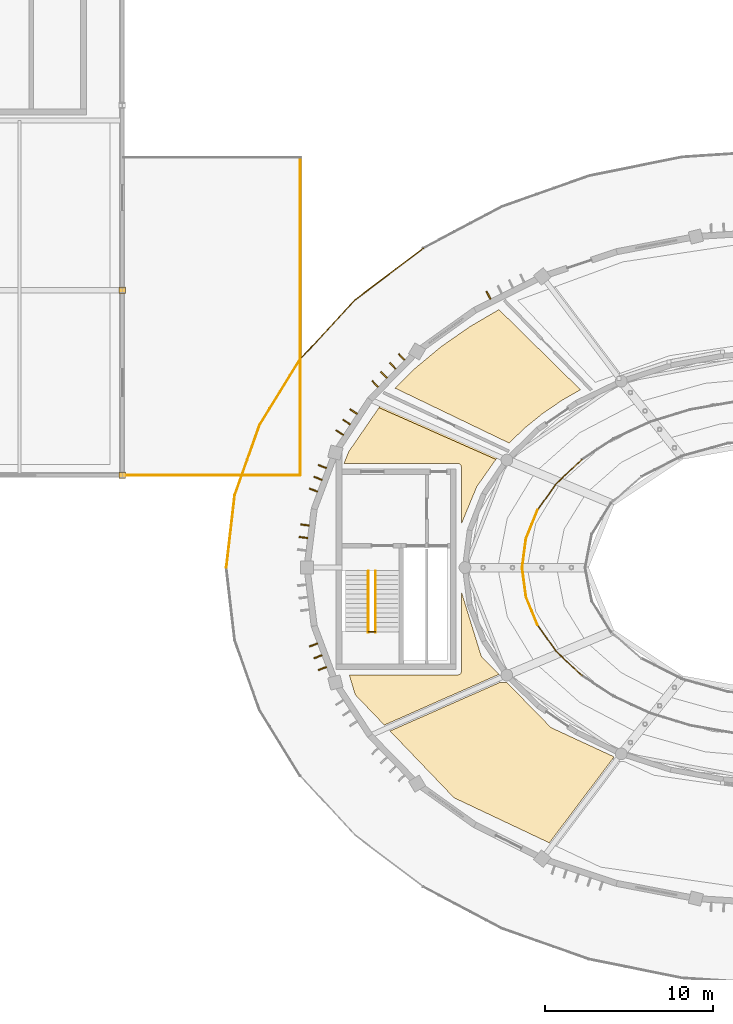
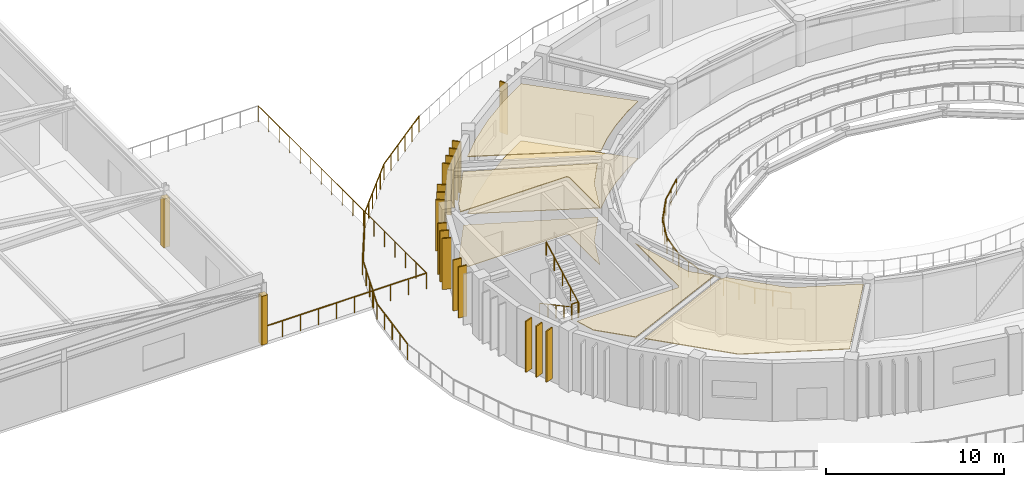
# One storey, part 55 of 63: 18 railings, 16 shading devices, 8 coverings.
"""IFC4 building model written with IfcOpenShell, lengths in metres."""

import ifcopenshell
import ifcopenshell.guid

model = None  # the IFC model being written
_history = None  # IfcOwnerHistory: only IFC2X3 demands one
_inside = {}  # id of a spatial element -> (the spatial element, [elements in it])
_under = {}  # id of a project, library or spatial element -> (it, [spatial elements below it])
_declared = {}  # id of a project -> (the project, [libraries it declares])
_typed = {}  # id of a type object -> (the type object, [elements of that type])
_made_of = {}  # id of a material, layer set ... -> (it, [elements and type objects made of it])


def new_model(schema):
    """Start an empty IFC model of exactly this schema.

    Asked for "IFC4X3", IfcOpenShell would pick the latest addendum, in which some entities
    have other attributes; the version numbers below select the first issue.
    IFC2X3 requires an IfcOwnerHistory on every rooted entity: one is made here for all.
    """
    global model, _history
    if schema == "IFC4X3":
        model = ifcopenshell.file(schema_version=(4, 3, 0, 0))
    else:
        model = ifcopenshell.file(schema=schema)
    _inside.clear()
    _under.clear()
    _declared.clear()
    _typed.clear()
    _made_of.clear()
    _history = None
    if model.schema == "IFC2X3":
        org = make("IfcOrganization", Name="unknown")
        user = make(
            "IfcPersonAndOrganization",
            ThePerson=make("IfcPerson", FamilyName="unknown"),
            TheOrganization=org,
        )
        app = make(
            "IfcApplication",
            ApplicationDeveloper=org,
            Version="unknown",
            ApplicationFullName="unknown",
            ApplicationIdentifier="unknown",
        )
        _history = make(
            "IfcOwnerHistory",
            OwningUser=user,
            OwningApplication=app,
            ChangeAction="ADDED",
            CreationDate=0,
        )
    return model


def make(cls, **values):
    """One entity of the class cls with the attributes given. An attribute that is None is left unset."""
    return model.create_entity(
        cls, **{name: value for name, value in values.items() if value is not None}
    )


def rooted(cls, **values):
    """An entity with a GlobalId (a new one), such as an element, a storey or a relation."""
    return make(cls, GlobalId=ifcopenshell.guid.new(), OwnerHistory=_history, **values)


def si_unit(unit_type, name, prefix=None):
    """IfcSIUnit, for example si_unit("LENGTHUNIT", "METRE", prefix="MILLI")."""
    return make("IfcSIUnit", UnitType=unit_type, Prefix=prefix, Name=name)


def assignment(units):
    """IfcUnitAssignment: the units of a project."""
    return None if units is None else make("IfcUnitAssignment", Units=units)


def point(xyz):
    """IfcCartesianPoint."""
    return None if xyz is None else make("IfcCartesianPoint", Coordinates=xyz)


def direction(xyz):
    """IfcDirection."""
    return None if xyz is None else make("IfcDirection", DirectionRatios=xyz)


def frame(location, z_axis=None, x_axis=None):
    """IfcAxis2Placement3D, a coordinate frame: its origin and axes. An axis left out is left unset."""
    return make(
        "IfcAxis2Placement3D",
        Location=point(location),
        Axis=direction(z_axis),
        RefDirection=direction(x_axis),
    )


def frame_2d(location, x_axis=None):
    """IfcAxis2Placement2D, a coordinate frame in the plane: its origin and x axis."""
    return make(
        "IfcAxis2Placement2D", Location=point(location), RefDirection=direction(x_axis)
    )


def origin():
    """The frame at (0, 0, 0) with its axes left unset."""
    return frame((0.0, 0.0, 0.0))


def origin_2d():
    """The frame at (0, 0) in the plane with its x axis left unset."""
    return frame_2d((0.0, 0.0))


def place(relative_to, where):
    """IfcLocalPlacement: puts the frame where relative to a parent placement (None: the world)."""
    return make(
        "IfcLocalPlacement", PlacementRelTo=relative_to, RelativePlacement=where
    )


def context(
    kind, dimensions, precision=None, world=None, true_north=None, identifier=None
):
    """IfcGeometricRepresentationContext, for example the 3D "Model" context."""
    return make(
        "IfcGeometricRepresentationContext",
        ContextIdentifier=identifier,
        ContextType=kind,
        CoordinateSpaceDimension=dimensions,
        Precision=precision,
        WorldCoordinateSystem=world,
        TrueNorth=true_north,
    )


def subcontext(parent, identifier, kind, view, scale=None):
    """IfcGeometricRepresentationSubContext, for example "Body" below "Model"."""
    return make(
        "IfcGeometricRepresentationSubContext",
        ContextIdentifier=identifier,
        ContextType=kind,
        ParentContext=parent,
        TargetScale=scale,
        TargetView=view,
    )


def project(units=None, contexts=None):
    """IfcProject with its units and contexts."""
    return rooted(
        "IfcProject",
        Name="project",
        RepresentationContexts=contexts,
        UnitsInContext=assignment(units),
    )


def spatial(cls, under=None, at=None, **own):
    """A site, building, storey or space (cls), placed at a placement, below another one or the project."""
    s = rooted(cls, ObjectPlacement=at, **own)
    if under is not None:
        _under.setdefault(under.id(), (under, []))[1].append(s)
    return s


def polyline(points):
    """IfcPolyline through the points."""
    return make("IfcPolyline", Points=[point(p) for p in points])


def profile(cls, at=None, kind="AREA", **sizes):
    """A parametric profile (cls). Its sizes go by their IFC names, for example OverallWidth=200.0."""
    return make(cls, ProfileType=kind, Position=at, **sizes)


def rectangle(**sizes):
    """IfcRectangleProfileDef."""
    return profile("IfcRectangleProfileDef", **sizes)


def circle(**sizes):
    """IfcCircleProfileDef."""
    return profile("IfcCircleProfileDef", **sizes)


def outline(outer, holes=None, kind="AREA"):
    """IfcArbitraryClosedProfileDef: a profile drawn as a closed curve; with holes, ...WithVoids."""
    if holes is None:
        return make("IfcArbitraryClosedProfileDef", ProfileType=kind, OuterCurve=outer)
    return make(
        "IfcArbitraryProfileDefWithVoids",
        ProfileType=kind,
        OuterCurve=outer,
        InnerCurves=holes,
    )


def extrude(swept, where, along, depth):
    """IfcExtrudedAreaSolid: the profile swept, set in the frame where, extruded along a direction by depth."""
    return make(
        "IfcExtrudedAreaSolid",
        SweptArea=swept,
        Position=where,
        ExtrudedDirection=direction(along),
        Depth=depth,
    )


def shape(context_of_items, identifier, shape_type, items):
    """IfcShapeRepresentation: the items that make up one representation, for example the "Body"."""
    return make(
        "IfcShapeRepresentation",
        ContextOfItems=context_of_items,
        RepresentationIdentifier=identifier,
        RepresentationType=shape_type,
        Items=items,
    )


def material(Name=None, Category=None):
    """IfcMaterial."""
    return make("IfcMaterial", Name=Name, Category=Category)


def layer(
    of_material, thickness, ventilated=None, Name=None, Category=None, Priority=None
):
    """IfcMaterialLayer: one layer of a wall or slab, of a material (None: an air gap)."""
    return make(
        "IfcMaterialLayer",
        Material=of_material,
        LayerThickness=thickness,
        IsVentilated=ventilated,
        Name=Name,
        Category=Category,
        Priority=Priority,
    )


def layer_set(layers, Name=None):
    """IfcMaterialLayerSet."""
    return make("IfcMaterialLayerSet", MaterialLayers=layers, LayerSetName=Name)


def made_of(thing, what):
    """Note that an element or type object is made of a material, layer set ...; save() writes the relation."""
    if what is not None:
        _made_of.setdefault(what.id(), (what, []))[1].append(thing)
    return thing


def type_object(cls, material=None, **own):
    """A type object (cls), such as IfcWallType, which elements share."""
    return made_of(rooted(cls, **own), material)


def element(
    cls,
    number,
    at=None,
    inside=None,
    cuts=None,
    type_object=None,
    material=None,
    context=None,
    identifier="Body",
    shape_type=None,
    held_by="IfcProductDefinitionShape",
    body=None,
    shapes=None,
    **own,
):
    """One element of the class cls, such as IfcWall. Its Tag is "e" and its number.

    at: its placement. inside: the storey or other place that contains it. cuts: it is an
    opening in that element (IfcRelVoidsElement). A single representation is given by context,
    identifier, shape_type and body (its items); several are given by shapes. held_by: the class
    of the entity that holds the representations. save() writes the other relations.
    """
    e = rooted(cls, Tag="e%d" % number, ObjectPlacement=at, **own)
    if body is not None:
        shapes = [shape(context, identifier, shape_type, body)]
    if shapes is not None:
        e.Representation = make(held_by, Representations=shapes)
    if inside is not None:
        _inside.setdefault(inside.id(), (inside, []))[1].append(e)
    if cuts is not None:
        rooted(
            "IfcRelVoidsElement", RelatingBuildingElement=cuts, RelatedOpeningElement=e
        )
    if type_object is not None:
        _typed.setdefault(type_object.id(), (type_object, []))[1].append(e)
    return made_of(e, material)


def aggregate(whole, parts):
    """IfcRelAggregates: a whole, such as a stair, and the parts it consists of."""
    return rooted("IfcRelAggregates", RelatingObject=whole, RelatedObjects=parts)


def save(model, path):
    """Write the relations noted so far, then the file.

    IfcRelAggregates (storeys below a building ...), IfcRelContainedInSpatialStructure (elements
    in a storey), IfcRelDefinesByType, IfcRelAssociatesMaterial and IfcRelDeclares: one each for
    every whole, place, type object, material and project.
    """
    for whole, parts in _under.values():
        aggregate(whole, parts)
    for where, things in _inside.values():
        rooted(
            "IfcRelContainedInSpatialStructure",
            RelatedElements=things,
            RelatingStructure=where,
        )
    for kind, things in _typed.values():
        rooted("IfcRelDefinesByType", RelatedObjects=things, RelatingType=kind)
    for what, things in _made_of.values():
        rooted("IfcRelAssociatesMaterial", RelatedObjects=things, RelatingMaterial=what)
    for by, libraries in _declared.values():
        rooted("IfcRelDeclares", RelatingContext=by, RelatedDefinitions=libraries)
    model.write(path)


model = new_model("IFC4")

# Units and contexts
model_context = context("Model", 3, precision=1e-05, world=origin(), true_north=direction((0.0, 1.0)))
body_context = subcontext(model_context, "Body", "Model", "MODEL_VIEW")
ifc_project = project(units=[si_unit("LENGTHUNIT", "METRE"), si_unit("AREAUNIT", "SQUARE_METRE"), si_unit("VOLUMEUNIT", "CUBIC_METRE"), si_unit("PLANEANGLEUNIT", "RADIAN"), si_unit("MASSUNIT", "GRAM", prefix="KILO")], contexts=[model_context])

# Site, building, storey
site_placement = place(None, origin())
site = spatial("IfcSite", under=ifc_project, at=site_placement, CompositionType="ELEMENT")
building_placement = place(site_placement, origin())
building = spatial("IfcBuilding", under=site, at=building_placement, Name="Tarnveldt Headland Concert Hall", CompositionType="ELEMENT")
storey_placement = place(building_placement, frame((0.0, 0.0, 14.39990234375)))
storey = spatial("IfcBuildingStorey", under=building, at=storey_placement, Name="L03", CompositionType="ELEMENT", Elevation=14.39990234375)

# Coverings
ifc_material_1 = material(Name="Micro-perforated mvule acoustic ceiling panel", Category="timber")
ifc_layer_1 = layer(ifc_material_1, 0.050048828125, Name="Micro-perforated mvule acoustic ceiling panel", Category="timber")
ifc_layer_set_1 = layer_set([ifc_layer_1], Name="Micro-perforated mvule acoustic ceiling panel")
covering_type_1 = type_object("IfcCoveringType", Name="CV-CEIL50", PredefinedType="CEILING", material=ifc_layer_set_1)
covering_1_placement = place(storey_placement, frame((0.0, 0.0, 3.91015625)))
element("IfcCovering", 1, at=covering_1_placement, inside=storey, type_object=covering_type_1, Name="Acoustic mvule ceiling L03-08-306", PredefinedType="CEILING", context=body_context, shape_type="SweptSolid", body=[
    extrude(outline(polyline([(58.01220703125, 48.1201171875), (64.5, 48.1201171875), (64.517578125, 48.120849609375), (64.53515625, 48.12353515625), (64.55224609375, 48.127685546875), (64.56884765625, 48.1337890625), (64.5849609375, 48.141357421875), (64.60009765625, 48.150390625), (64.6142578125, 48.160888671875), (64.627197265625, 48.172607421875), (64.63916015625, 48.185791015625), (64.649658203125, 48.199951171875), (64.65869140625, 48.215087890625), (64.666259765625, 48.231201171875), (64.672119140625, 48.247802734375), (64.676513671875, 48.264892578125), (64.67919921875, 48.282470703125), (64.679931640625, 48.300048828125), (64.679931640625, 53.08154296875), (65.8544921875, 49.262939453125), (65.8603515625, 49.246826171875), (65.86767578125, 49.2314453125), (65.87646484375, 49.216796875), (65.886474609375, 49.202880859375), (65.89794921875, 49.190185546875), (66.92138671875, 48.143310546875), (60.10107421875, 45.127197265625), (58.369384765625, 46.934814453125), (58.01220703125, 48.1201171875)])), origin(), (0.0, 0.0, 1.0), 0.050048828125),
])
covering_2_placement = place(storey_placement, frame((0.0, 0.0, 3.91015625)))
element("IfcCovering", 2, at=covering_2_placement, inside=storey, type_object=covering_type_1, Name="Acoustic mvule ceiling L03-08-307", PredefinedType="CEILING", context=body_context, shape_type="SweptSolid", body=[
    extrude(outline(polyline([(70.048095703125, 44.96240234375), (73.75, 43.247802734375), (73.75, 43.2001953125), (69.919677734375, 38.118408203125), (64.24658203125, 40.7998046875), (60.439697265625, 44.77392578125), (66.943115234375, 47.64990234375), (67.40380859375, 47.64990234375), (69.9951171875, 44.999755859375), (70.0068359375, 44.988525390625), (70.019775390625, 44.978515625), (70.03369140625, 44.9697265625), (70.048095703125, 44.96240234375)])), origin(), (0.0, 0.0, 1.0), 0.050048828125),
])
covering_3_placement = place(storey_placement, frame((0.0, 0.0, 3.91015625)))
element("IfcCovering", 3, at=covering_3_placement, inside=storey, type_object=covering_type_1, Name="Acoustic mvule ceiling L03-10-316", PredefinedType="CEILING", context=body_context, shape_type="SweptSolid", body=[
    extrude(outline(polyline([(71.77001953125, 65.080078125), (70.697021484375, 64.4658203125), (70.68505859375, 64.458251953125), (69.502685546875, 63.651123046875), (69.49072265625, 63.64208984375), (68.414306640625, 62.766357421875), (68.402099609375, 62.755615234375), (67.52978515625, 61.906005859375), (60.743896484375, 65.17236328125), (61.950927734375, 66.3720703125), (63.496826171875, 67.65576171875), (65.19580078125, 68.839599609375), (66.922119140625, 69.848388671875), (71.77001953125, 65.080078125)])), origin(), (0.0, 0.0, 1.0), 0.050048828125),
])
covering_4_placement = place(storey_placement, frame((0.0, 0.0, 3.91015625)))
element("IfcCovering", 4, at=covering_4_placement, inside=storey, type_object=covering_type_1, Name="Acoustic mvule ceiling L03-11-317", PredefinedType="CEILING", context=body_context, shape_type="SweptSolid", body=[
    extrude(outline(polyline([(66.739990234375, 60.936767578125), (65.61474609375, 59.333984375), (65.604248046875, 59.317138671875), (65.595703125, 59.29931640625), (64.6826171875, 57.08740234375), (64.679931640625, 57.07958984375), (64.679931640625, 60.5), (64.67919921875, 60.517578125), (64.676513671875, 60.53515625), (64.672119140625, 60.55224609375), (64.666259765625, 60.56884765625), (64.65869140625, 60.5849609375), (64.649658203125, 60.60009765625), (64.63916015625, 60.6142578125), (64.627197265625, 60.627197265625), (64.6142578125, 60.63916015625), (64.60009765625, 60.649658203125), (64.5849609375, 60.65869140625), (64.56884765625, 60.666259765625), (64.55224609375, 60.672119140625), (64.53515625, 60.676513671875), (64.517578125, 60.67919921875), (64.5, 60.679931640625), (57.69384765625, 60.679931640625), (57.986083984375, 61.40234375), (59.7822265625, 64.013671875), (66.739990234375, 60.936767578125)])), origin(), (0.0, 0.0, 1.0), 0.050048828125),
])
ifc_material_2 = material(Name="Polished coral-aggregate cementitious terrazzo flooring", Category="concrete")
ifc_layer_2 = layer(ifc_material_2, 0.034912109375, Name="Polished coral-aggregate cementitious terrazzo flooring", Category="concrete")
ifc_layer_set_2 = layer_set([ifc_layer_2], Name="Polished coral-aggregate cementitious terrazzo flooring")
covering_type_2 = type_object("IfcCoveringType", Name="CV-FLOR35", PredefinedType="FLOORING", material=ifc_layer_set_2)
covering_5_placement = place(storey_placement, origin())
element("IfcCovering", 5, at=covering_5_placement, inside=storey, type_object=covering_type_2, Name="Architectural flooring L03-10-98", PredefinedType="FLOORING", context=body_context, shape_type="SweptSolid", body=[
    extrude(outline(polyline([(71.77001953125, 65.080078125), (70.697021484375, 64.4658203125), (70.68505859375, 64.458251953125), (69.502685546875, 63.651123046875), (69.49072265625, 63.64208984375), (68.414306640625, 62.766357421875), (68.402099609375, 62.755615234375), (67.52978515625, 61.906005859375), (60.743896484375, 65.17236328125), (61.950927734375, 66.3720703125), (63.496826171875, 67.65576171875), (65.19580078125, 68.839599609375), (66.922119140625, 69.848388671875), (71.77001953125, 65.080078125)])), origin(), (0.0, 0.0, 1.0), 0.03515625),
])
covering_6_placement = place(storey_placement, origin())
element("IfcCovering", 6, at=covering_6_placement, inside=storey, type_object=covering_type_2, Name="Architectural flooring L03-11-99", PredefinedType="FLOORING", context=body_context, shape_type="SweptSolid", body=[
    extrude(outline(polyline([(59.991455078125, 64.31787109375), (66.94091796875, 61.222900390625), (65.61474609375, 59.333984375), (65.604248046875, 59.317138671875), (65.595703125, 59.29931640625), (64.6826171875, 57.08740234375), (64.679931640625, 57.07958984375), (64.679931640625, 60.5), (64.67919921875, 60.517578125), (64.676513671875, 60.53515625), (64.672119140625, 60.55224609375), (64.666259765625, 60.56884765625), (64.65869140625, 60.5849609375), (64.649658203125, 60.60009765625), (64.63916015625, 60.6142578125), (64.627197265625, 60.627197265625), (64.6142578125, 60.63916015625), (64.60009765625, 60.649658203125), (64.5849609375, 60.65869140625), (64.56884765625, 60.666259765625), (64.55224609375, 60.672119140625), (64.53515625, 60.676513671875), (64.517578125, 60.67919921875), (64.5, 60.679931640625), (57.69384765625, 60.679931640625), (57.986083984375, 61.40234375), (59.991455078125, 64.31787109375)])), origin(), (0.0, 0.0, 1.0), 0.03515625),
])
ifc_material_3 = material(Name="Coral-toned precast concrete C40/50", Category="concrete")
ifc_layer_3 = layer(ifc_material_3, 0.360107421875, Name="Coral-toned precast concrete C40/50", Category="concrete")
ifc_layer_set_3 = layer_set([ifc_layer_3], Name="Coral-toned precast concrete C40/50")
covering_type_3 = type_object("IfcCoveringType", Name="CV-JNT360", PredefinedType="CLADDING", material=ifc_layer_set_3)
for number, where, z_axis, x_axis, name in (
    (7, (44.5, 60.0, 0.0), (0.0, 0.0, 1.0), (-1.0, 0.0, 0.0), "Precast facade joint closure pilaster L03-311"),
    (8, (44.5, 71.0, 0.0), (0.0, 0.0, 1.0), (0.0, -1.0, 0.0), "Precast facade joint closure pilaster L03-312"),
):
    element("IfcCovering", number, at=place(storey_placement, frame(where, z_axis=z_axis, x_axis=x_axis)), inside=storey, type_object=covering_type_3, Name=name, PredefinedType="CLADDING", context=body_context, shape_type="SweptSolid", body=[
        extrude(rectangle(XDim=0.3798828125, YDim=0.3798828125, at=origin_2d()), origin(), (0.0, 0.0, 1.0), 3.35009765625),
    ])

# Railings
ifc_material_4 = material(Name="Marine stainless steel", Category="steel")
ifc_layer_4 = layer(ifc_material_4, 0.074951171875, Name="Marine stainless steel", Category="steel")
ifc_layer_set_4 = layer_set([ifc_layer_4], Name="Marine stainless steel")
railing_type_1 = type_object("IfcRailingType", Name="RL-BAL110", PredefinedType="BALUSTRADE", material=ifc_layer_set_4)
railing_1_placement = place(storey_placement, frame((62.41650390625, 73.497802734375, 0.0)))
element("IfcRailing", 9, at=railing_1_placement, inside=storey, type_object=railing_type_1, Name="GUARD Drum lookout terrace balustrade 14", PredefinedType="BALUSTRADE", context=body_context, shape_type="SweptSolid", body=[
    extrude(circle(Radius=0.02392578125, at=origin_2d()), frame((0.0, 0.0, 1.076171875), z_axis=(-0.797664418204, -0.603101546948, 0.0), x_axis=(0.603101546948, -0.797664418204, 0.0)), (0.0, 0.0, 1.0), 5.068115234375),
    extrude(circle(Radius=0.02099609375, at=origin_2d()), origin(), (0.0, 0.0, 1.0), 1.052001953125),
    extrude(circle(Radius=0.02099609375, at=origin_2d()), frame((-0.80859375, -0.611328125, 0.0)), (0.0, 0.0, 1.0), 1.052001953125),
    extrude(circle(Radius=0.02099609375, at=origin_2d()), frame((-1.6171875, -1.22265625, 0.0)), (0.0, 0.0, 1.0), 1.052001953125),
    extrude(circle(Radius=0.02099609375, at=origin_2d()), frame((-2.425537109375, -1.833984375, 0.0)), (0.0, 0.0, 1.0), 1.052001953125),
    extrude(circle(Radius=0.02099609375, at=origin_2d()), frame((-3.234130859375, -2.4453125, 0.0)), (0.0, 0.0, 1.0), 1.052001953125),
    extrude(circle(Radius=0.02099609375, at=origin_2d()), frame((-4.042724609375, -3.056640625, 0.0)), (0.0, 0.0, 1.0), 1.052001953125),
])
railing_2_placement = place(storey_placement, frame((58.373779296875, 70.441162109375, 0.0)))
element("IfcRailing", 10, at=railing_2_placement, inside=storey, type_object=railing_type_1, Name="GUARD Drum lookout terrace balustrade 15", PredefinedType="BALUSTRADE", context=body_context, shape_type="SweptSolid", body=[
    extrude(circle(Radius=0.02392578125, at=origin_2d()), frame((0.0, 0.0, 1.076171875), z_axis=(-0.67944736966, -0.733724247835, 0.0), x_axis=(0.733724247835, -0.67944736966, 0.0)), (0.0, 0.0, 1.0), 4.826416015625),
    extrude(circle(Radius=0.02099609375, at=origin_2d()), origin(), (0.0, 0.0, 1.0), 1.052001953125),
    extrude(circle(Radius=0.02099609375, at=origin_2d()), frame((-0.65576171875, -0.708251953125, 0.0)), (0.0, 0.0, 1.0), 1.052001953125),
    extrude(circle(Radius=0.02099609375, at=origin_2d()), frame((-1.311767578125, -1.41650390625, 0.0)), (0.0, 0.0, 1.0), 1.052001953125),
    extrude(circle(Radius=0.02099609375, at=origin_2d()), frame((-1.967529296875, -2.124755859375, 0.0)), (0.0, 0.0, 1.0), 1.052001953125),
    extrude(circle(Radius=0.02099609375, at=origin_2d()), frame((-2.62353515625, -2.8330078125, 0.0)), (0.0, 0.0, 1.0), 1.052001953125),
    extrude(circle(Radius=0.02099609375, at=origin_2d()), frame((-3.279296875, -3.541259765625, 0.0)), (0.0, 0.0, 1.0), 1.052001953125),
])
railing_3_placement = place(storey_placement, frame((55.094482421875, 66.89990234375, 0.0)))
element("IfcRailing", 11, at=railing_3_placement, inside=storey, type_object=railing_type_1, Name="GUARD Drum lookout terrace balustrade 16", PredefinedType="BALUSTRADE", context=body_context, shape_type="SweptSolid", body=[
    extrude(circle(Radius=0.02392578125, at=origin_2d()), frame((0.0, 0.0, 1.076171875), z_axis=(-0.524979001727, -0.851115178895, 0.0), x_axis=(0.851115178895, -0.524979001727, 0.0)), (0.0, 0.0, 1.0), 4.60302734375),
    extrude(circle(Radius=0.02099609375, at=origin_2d()), origin(), (0.0, 0.0, 1.0), 1.052001953125),
    extrude(circle(Radius=0.02099609375, at=origin_2d()), frame((-0.60400390625, -0.9794921875, 0.0)), (0.0, 0.0, 1.0), 1.052001953125),
    extrude(circle(Radius=0.02099609375, at=origin_2d()), frame((-1.208251953125, -1.958984375, 0.0)), (0.0, 0.0, 1.0), 1.052001953125),
    extrude(circle(Radius=0.02099609375, at=origin_2d()), frame((-1.8125, -2.938232421875, 0.0)), (0.0, 0.0, 1.0), 1.052001953125),
    extrude(circle(Radius=0.02099609375, at=origin_2d()), frame((-2.41650390625, -3.917724609375, 0.0)), (0.0, 0.0, 1.0), 1.052001953125),
])
railing_4_placement = place(storey_placement, frame((52.677978515625, 62.982177734375, 0.0)))
element("IfcRailing", 12, at=railing_4_placement, inside=storey, type_object=railing_type_1, Name="GUARD Drum lookout terrace balustrade 17", PredefinedType="BALUSTRADE", context=body_context, shape_type="SweptSolid", body=[
    extrude(circle(Radius=0.02392578125, at=origin_2d()), frame((0.0, 0.0, 1.076171875), z_axis=(-0.334010357608, -0.942569403816, 0.0), x_axis=(0.942569403816, -0.334010357608, 0.0)), (0.0, 0.0, 1.0), 4.43017578125),
    extrude(circle(Radius=0.02099609375, at=origin_2d()), origin(), (0.0, 0.0, 1.0), 1.052001953125),
    extrude(circle(Radius=0.02099609375, at=origin_2d()), frame((-0.369873046875, -1.0439453125, 0.0)), (0.0, 0.0, 1.0), 1.052001953125),
    extrude(circle(Radius=0.02099609375, at=origin_2d()), frame((-0.73974609375, -2.087890625, 0.0)), (0.0, 0.0, 1.0), 1.052001953125),
    extrude(circle(Radius=0.02099609375, at=origin_2d()), frame((-1.10986328125, -3.1318359375, 0.0)), (0.0, 0.0, 1.0), 1.052001953125),
    extrude(circle(Radius=0.02099609375, at=origin_2d()), frame((-1.479736328125, -4.17578125, 0.0)), (0.0, 0.0, 1.0), 1.052001953125),
])
railing_5_placement = place(storey_placement, frame((51.1982421875, 58.806396484375, 0.0)))
element("IfcRailing", 13, at=railing_5_placement, inside=storey, type_object=railing_type_1, Name="GUARD Drum lookout terrace balustrade 18", PredefinedType="BALUSTRADE", context=body_context, shape_type="SweptSolid", body=[
    extrude(circle(Radius=0.02392578125, at=origin_2d()), frame((0.0, 0.0, 1.076171875), z_axis=(-0.11494260035, -0.993372135015, 0.0), x_axis=(0.993372135015, -0.11494260035, 0.0)), (0.0, 0.0, 1.0), 4.335205078125),
    extrude(circle(Radius=0.02099609375, at=origin_2d()), origin(), (0.0, 0.0, 1.0), 1.052001953125),
    extrude(circle(Radius=0.02099609375, at=origin_2d()), frame((-0.12451171875, -1.07666015625, 0.0)), (0.0, 0.0, 1.0), 1.052001953125),
    extrude(circle(Radius=0.02099609375, at=origin_2d()), frame((-0.2490234375, -2.1533203125, 0.0)), (0.0, 0.0, 1.0), 1.052001953125),
    extrude(circle(Radius=0.02099609375, at=origin_2d()), frame((-0.373779296875, -3.229736328125, 0.0)), (0.0, 0.0, 1.0), 1.052001953125),
    extrude(circle(Radius=0.02099609375, at=origin_2d()), frame((-0.498291015625, -4.306396484375, 0.0)), (0.0, 0.0, 1.0), 1.052001953125),
])
railing_6_placement = place(storey_placement, frame((44.60009765625, 60.0, 0.0)))
element("IfcRailing", 14, at=railing_6_placement, inside=storey, type_object=railing_type_1, Name="GUARD Musicians terrace balustrade 1", PredefinedType="BALUSTRADE", context=body_context, shape_type="SweptSolid", body=[
    extrude(circle(Radius=0.02392578125, at=origin_2d()), frame((0.0, 0.0, 1.076171875), z_axis=(1.0, 0.0, 0.0), x_axis=(0.0, 1.0, 0.0)), (0.0, 0.0, 1.0), 10.5),
    extrude(circle(Radius=0.02099609375, at=origin_2d()), origin(), (0.0, 0.0, 1.0), 1.052001953125),
    extrude(circle(Radius=0.02099609375, at=origin_2d()), frame((1.166748046875, 0.0, 0.0)), (0.0, 0.0, 1.0), 1.052001953125),
    extrude(circle(Radius=0.02099609375, at=origin_2d()), frame((2.333251953125, 0.0, 0.0)), (0.0, 0.0, 1.0), 1.052001953125),
    extrude(circle(Radius=0.02099609375, at=origin_2d()), frame((3.5, 0.0, 0.0)), (0.0, 0.0, 1.0), 1.052001953125),
    extrude(circle(Radius=0.02099609375, at=origin_2d()), frame((4.666748046875, 0.0, 0.0)), (0.0, 0.0, 1.0), 1.052001953125),
    extrude(circle(Radius=0.02099609375, at=origin_2d()), frame((5.833251953125, 0.0, 0.0)), (0.0, 0.0, 1.0), 1.052001953125),
    extrude(circle(Radius=0.02099609375, at=origin_2d()), frame((7.0, 0.0, 0.0)), (0.0, 0.0, 1.0), 1.052001953125),
    extrude(circle(Radius=0.02099609375, at=origin_2d()), frame((8.166748046875, 0.0, 0.0)), (0.0, 0.0, 1.0), 1.052001953125),
    extrude(circle(Radius=0.02099609375, at=origin_2d()), frame((9.333251953125, 0.0, 0.0)), (0.0, 0.0, 1.0), 1.052001953125),
    extrude(circle(Radius=0.02099609375, at=origin_2d()), frame((10.5, 0.0, 0.0)), (0.0, 0.0, 1.0), 1.052001953125),
])
railing_7_placement = place(storey_placement, frame((55.10009765625, 60.0, 0.0)))
element("IfcRailing", 15, at=railing_7_placement, inside=storey, type_object=railing_type_1, Name="GUARD Musicians terrace balustrade 2", PredefinedType="BALUSTRADE", context=body_context, shape_type="SweptSolid", body=[
    extrude(circle(Radius=0.02392578125, at=origin_2d()), frame((0.0, 0.0, 1.076171875), z_axis=(0.0, 1.0, 0.0), x_axis=(-1.0, 0.0, 0.0)), (0.0, 0.0, 1.0), 18.89990234375),
    extrude(circle(Radius=0.02099609375, at=origin_2d()), origin(), (0.0, 0.0, 1.0), 1.052001953125),
    extrude(circle(Radius=0.02099609375, at=origin_2d()), frame((0.0, 1.18115234375, 0.0)), (0.0, 0.0, 1.0), 1.052001953125),
    extrude(circle(Radius=0.02099609375, at=origin_2d()), frame((0.0, 2.362548828125, 0.0)), (0.0, 0.0, 1.0), 1.052001953125),
    extrude(circle(Radius=0.02099609375, at=origin_2d()), frame((0.0, 3.543701171875, 0.0)), (0.0, 0.0, 1.0), 1.052001953125),
    extrude(circle(Radius=0.02099609375, at=origin_2d()), frame((0.0, 4.72509765625, 0.0)), (0.0, 0.0, 1.0), 1.052001953125),
    extrude(circle(Radius=0.02099609375, at=origin_2d()), frame((0.0, 5.90625, 0.0)), (0.0, 0.0, 1.0), 1.052001953125),
    extrude(circle(Radius=0.02099609375, at=origin_2d()), frame((0.0, 7.08740234375, 0.0)), (0.0, 0.0, 1.0), 1.052001953125),
    extrude(circle(Radius=0.02099609375, at=origin_2d()), frame((0.0, 8.268798828125, 0.0)), (0.0, 0.0, 1.0), 1.052001953125),
    extrude(circle(Radius=0.02099609375, at=origin_2d()), frame((0.0, 9.449951171875, 0.0)), (0.0, 0.0, 1.0), 1.052001953125),
    extrude(circle(Radius=0.02099609375, at=origin_2d()), frame((0.0, 10.631103515625, 0.0)), (0.0, 0.0, 1.0), 1.052001953125),
    extrude(circle(Radius=0.02099609375, at=origin_2d()), frame((0.0, 11.8125, 0.0)), (0.0, 0.0, 1.0), 1.052001953125),
    extrude(circle(Radius=0.02099609375, at=origin_2d()), frame((0.0, 12.99365234375, 0.0)), (0.0, 0.0, 1.0), 1.052001953125),
    extrude(circle(Radius=0.02099609375, at=origin_2d()), frame((0.0, 14.1748046875, 0.0)), (0.0, 0.0, 1.0), 1.052001953125),
    extrude(circle(Radius=0.02099609375, at=origin_2d()), frame((0.0, 15.356201171875, 0.0)), (0.0, 0.0, 1.0), 1.052001953125),
    extrude(circle(Radius=0.02099609375, at=origin_2d()), frame((0.0, 16.537353515625, 0.0)), (0.0, 0.0, 1.0), 1.052001953125),
    extrude(circle(Radius=0.02099609375, at=origin_2d()), frame((0.0, 17.71875, 0.0)), (0.0, 0.0, 1.0), 1.052001953125),
    extrude(circle(Radius=0.02099609375, at=origin_2d()), frame((0.0, 18.89990234375, 0.0)), (0.0, 0.0, 1.0), 1.052001953125),
])
ifc_layer_5 = layer(ifc_material_4, 0.06005859375, Name="Marine stainless steel", Category="steel")
ifc_layer_set_5 = layer_set([ifc_layer_5], Name="Marine stainless steel")
railing_type_2 = type_object("IfcRailingType", Name="RL-GRD110", PredefinedType="GUARDRAIL", material=ifc_layer_set_5)
railing_8_placement = place(storey_placement, frame((59.14990234375, 50.679931640625, 2.10009765625)))
element("IfcRailing", 16, at=railing_8_placement, inside=storey, type_object=railing_type_2, Name="GUARD STR-C1-L03 half-landing well", PredefinedType="GUARDRAIL", context=body_context, shape_type="SweptSolid", body=[
    extrude(circle(Radius=0.02392578125, at=origin_2d()), frame((0.0, 0.0, 1.076171875), z_axis=(1.0, 0.0, 0.0), x_axis=(0.0, 1.0, 0.0)), (0.0, 0.0, 1.0), 0.420166015625),
    extrude(circle(Radius=0.02099609375, at=origin_2d()), origin(), (0.0, 0.0, 1.0), 1.052001953125),
    extrude(circle(Radius=0.02099609375, at=origin_2d()), frame((0.420166015625, 0.0, 0.0)), (0.0, 0.0, 1.0), 1.052001953125),
])
railing_9_placement = place(storey_placement, frame((71.856201171875, 60.927978515625, 0.0)))
element("IfcRailing", 17, at=railing_9_placement, inside=storey, type_object=railing_type_2, Name="GUARD Auditorium void guardrail L03 15", PredefinedType="GUARDRAIL", context=body_context, shape_type="SweptSolid", body=[
    extrude(circle(Radius=0.02392578125, at=origin_2d()), frame((0.0, 0.0, 1.076171875), z_axis=(-0.728773712747, -0.684754609776, 0.0), x_axis=(0.684754609776, -0.728773712747, 0.0)), (0.0, 0.0, 1.0), 2.08544921875),
    extrude(circle(Radius=0.02099609375, at=origin_2d()), origin(), (0.0, 0.0, 1.0), 1.052001953125),
    extrude(circle(Radius=0.02099609375, at=origin_2d()), frame((-0.759765625, -0.7138671875, 0.0)), (0.0, 0.0, 1.0), 1.052001953125),
    extrude(circle(Radius=0.02099609375, at=origin_2d()), frame((-1.519775390625, -1.427978515625, 0.0)), (0.0, 0.0, 1.0), 1.052001953125),
])
railing_10_placement = place(storey_placement, frame((70.33642578125, 59.5, 0.0)))
element("IfcRailing", 18, at=railing_10_placement, inside=storey, type_object=railing_type_2, Name="GUARD Auditorium void guardrail L03 16", PredefinedType="GUARDRAIL", context=body_context, shape_type="SweptSolid", body=[
    extrude(circle(Radius=0.02392578125, at=origin_2d()), frame((0.0, 0.0, 1.076171875), z_axis=(-0.578216724182, -0.815883214606, 0.0), x_axis=(0.815883214606, -0.578216724182, 0.0)), (0.0, 0.0, 1.0), 1.936279296875),
    extrude(circle(Radius=0.02099609375, at=origin_2d()), origin(), (0.0, 0.0, 1.0), 1.052001953125),
    extrude(circle(Radius=0.02099609375, at=origin_2d()), frame((-0.559814453125, -0.7900390625, 0.0)), (0.0, 0.0, 1.0), 1.052001953125),
    extrude(circle(Radius=0.02099609375, at=origin_2d()), frame((-1.11962890625, -1.579833984375, 0.0)), (0.0, 0.0, 1.0), 1.052001953125),
])
railing_11_placement = place(storey_placement, frame((69.216796875, 57.920166015625, 0.0)))
element("IfcRailing", 19, at=railing_11_placement, inside=storey, type_object=railing_type_2, Name="GUARD Auditorium void guardrail L03 17", PredefinedType="GUARDRAIL", context=body_context, shape_type="SweptSolid", body=[
    extrude(circle(Radius=0.02392578125, at=origin_2d()), frame((0.0, 0.0, 1.076171875), z_axis=(-0.377241429706, -0.926114951674, 0.0), x_axis=(0.926114951674, -0.377241429706, 0.0)), (0.0, 0.0, 1.0), 1.81787109375),
    extrude(circle(Radius=0.02099609375, at=origin_2d()), origin(), (0.0, 0.0, 1.0), 1.052001953125),
    extrude(circle(Radius=0.02099609375, at=origin_2d()), frame((-0.3427734375, -0.841796875, 0.0)), (0.0, 0.0, 1.0), 1.052001953125),
    extrude(circle(Radius=0.02099609375, at=origin_2d()), frame((-0.685791015625, -1.68359375, 0.0)), (0.0, 0.0, 1.0), 1.052001953125),
])
railing_12_placement = place(storey_placement, frame((68.531005859375, 56.236572265625, 0.0)))
element("IfcRailing", 20, at=railing_12_placement, inside=storey, type_object=railing_type_2, Name="GUARD Auditorium void guardrail L03 18", PredefinedType="GUARDRAIL", context=body_context, shape_type="SweptSolid", body=[
    extrude(circle(Radius=0.02392578125, at=origin_2d()), frame((0.0, 0.0, 1.076171875), z_axis=(-0.131835089673, -0.991271662629, 0.0), x_axis=(0.991271662629, -0.131835089673, 0.0)), (0.0, 0.0, 1.0), 1.751953125),
    extrude(circle(Radius=0.02099609375, at=origin_2d()), origin(), (0.0, 0.0, 1.0), 1.052001953125),
    extrude(circle(Radius=0.02099609375, at=origin_2d()), frame((-0.115478515625, -0.8681640625, 0.0)), (0.0, 0.0, 1.0), 1.052001953125),
    extrude(circle(Radius=0.02099609375, at=origin_2d()), frame((-0.23095703125, -1.736572265625, 0.0)), (0.0, 0.0, 1.0), 1.052001953125),
])
railing_13_placement = place(storey_placement, frame((68.300048828125, 54.5, 0.0)))
element("IfcRailing", 21, at=railing_13_placement, inside=storey, type_object=railing_type_2, Name="GUARD Auditorium void guardrail L03 19", PredefinedType="GUARDRAIL", context=body_context, shape_type="SweptSolid", body=[
    extrude(circle(Radius=0.02392578125, at=origin_2d()), frame((0.0, 0.0, 1.076171875), z_axis=(0.131835089673, -0.991271662629, 0.0), x_axis=(0.991271662629, 0.131835089673, 0.0)), (0.0, 0.0, 1.0), 1.751953125),
    extrude(circle(Radius=0.02099609375, at=origin_2d()), origin(), (0.0, 0.0, 1.0), 1.052001953125),
    extrude(circle(Radius=0.02099609375, at=origin_2d()), frame((0.115478515625, -0.8681640625, 0.0)), (0.0, 0.0, 1.0), 1.052001953125),
    extrude(circle(Radius=0.02099609375, at=origin_2d()), frame((0.23095703125, -1.736572265625, 0.0)), (0.0, 0.0, 1.0), 1.052001953125),
])
railing_14_placement = place(storey_placement, frame((68.531005859375, 52.763427734375, 0.0)))
element("IfcRailing", 22, at=railing_14_placement, inside=storey, type_object=railing_type_2, Name="GUARD Auditorium void guardrail L03 20", PredefinedType="GUARDRAIL", context=body_context, shape_type="SweptSolid", body=[
    extrude(circle(Radius=0.02392578125, at=origin_2d()), frame((0.0, 0.0, 1.076171875), z_axis=(0.377241429706, -0.926114951674, 0.0), x_axis=(0.926114951674, 0.377241429706, 0.0)), (0.0, 0.0, 1.0), 1.81787109375),
    extrude(circle(Radius=0.02099609375, at=origin_2d()), origin(), (0.0, 0.0, 1.0), 1.052001953125),
    extrude(circle(Radius=0.02099609375, at=origin_2d()), frame((0.3427734375, -0.841796875, 0.0)), (0.0, 0.0, 1.0), 1.052001953125),
    extrude(circle(Radius=0.02099609375, at=origin_2d()), frame((0.685791015625, -1.68359375, 0.0)), (0.0, 0.0, 1.0), 1.052001953125),
])
railing_15_placement = place(storey_placement, frame((69.216796875, 51.079833984375, 0.0)))
element("IfcRailing", 23, at=railing_15_placement, inside=storey, type_object=railing_type_2, Name="GUARD Auditorium void guardrail L03 21", PredefinedType="GUARDRAIL", context=body_context, shape_type="SweptSolid", body=[
    extrude(circle(Radius=0.02392578125, at=origin_2d()), frame((0.0, 0.0, 1.076171875), z_axis=(0.578216724182, -0.815883214606, 0.0), x_axis=(0.815883214606, 0.578216724182, 0.0)), (0.0, 0.0, 1.0), 1.936279296875),
    extrude(circle(Radius=0.02099609375, at=origin_2d()), origin(), (0.0, 0.0, 1.0), 1.052001953125),
    extrude(circle(Radius=0.02099609375, at=origin_2d()), frame((0.559814453125, -0.7900390625, 0.0)), (0.0, 0.0, 1.0), 1.052001953125),
    extrude(circle(Radius=0.02099609375, at=origin_2d()), frame((1.11962890625, -1.579833984375, 0.0)), (0.0, 0.0, 1.0), 1.052001953125),
])
railing_16_placement = place(storey_placement, frame((70.33642578125, 49.5, 0.0)))
element("IfcRailing", 24, at=railing_16_placement, inside=storey, type_object=railing_type_2, Name="GUARD Auditorium void guardrail L03 22", PredefinedType="GUARDRAIL", context=body_context, shape_type="SweptSolid", body=[
    extrude(circle(Radius=0.02392578125, at=origin_2d()), frame((0.0, 0.0, 1.076171875), z_axis=(0.728773712747, -0.684754609776, 0.0), x_axis=(0.684754609776, 0.728773712747, 0.0)), (0.0, 0.0, 1.0), 2.08544921875),
    extrude(circle(Radius=0.02099609375, at=origin_2d()), origin(), (0.0, 0.0, 1.0), 1.052001953125),
    extrude(circle(Radius=0.02099609375, at=origin_2d()), frame((0.759765625, -0.7138671875, 0.0)), (0.0, 0.0, 1.0), 1.052001953125),
    extrude(circle(Radius=0.02099609375, at=origin_2d()), frame((1.519775390625, -1.427978515625, 0.0)), (0.0, 0.0, 1.0), 1.052001953125),
])
ifc_layer_6 = layer(ifc_material_4, 0.048095703125, Name="Marine stainless steel", Category="steel")
ifc_layer_set_6 = layer_set([ifc_layer_6], Name="Marine stainless steel")
railing_type_3 = type_object("IfcRailingType", Name="RL-HND092", PredefinedType="HANDRAIL", material=ifc_layer_set_6)
railing_17_placement = place(storey_placement, frame((59.14990234375, 54.280029296875, 0.150146484375)))
element("IfcRailing", 25, at=railing_17_placement, inside=storey, type_object=railing_type_3, Name="HANDRAIL STR-C1-L03 flight 1", PredefinedType="HANDRAIL", context=body_context, shape_type="SweptSolid", body=[
    extrude(circle(Radius=0.02392578125, at=origin_2d()), frame((0.0, 0.0, 0.89599609375), z_axis=(0.0, -0.881492274372, 0.472198443689), x_axis=(1.0, 0.0, 0.0)), (0.0, 0.0, 1.0), 4.12939453125),
    extrude(circle(Radius=0.02099609375, at=origin_2d()), origin(), (0.0, 0.0, 1.0), 0.871826171875),
    extrude(circle(Radius=0.02099609375, at=origin_2d()), frame((0.0, -0.91015625, 0.487548828125)), (0.0, 0.0, 1.0), 0.871826171875),
    extrude(circle(Radius=0.02099609375, at=origin_2d()), frame((0.0, -1.820068359375, 0.97509765625)), (0.0, 0.0, 1.0), 0.871826171875),
    extrude(circle(Radius=0.02099609375, at=origin_2d()), frame((0.0, -2.72998046875, 1.46240234375)), (0.0, 0.0, 1.0), 0.871826171875),
    extrude(circle(Radius=0.02099609375, at=origin_2d()), frame((0.0, -3.64013671875, 1.949951171875)), (0.0, 0.0, 1.0), 0.871826171875),
])
railing_18_placement = place(storey_placement, frame((59.570068359375, 50.639892578125, 2.25)))
element("IfcRailing", 26, at=railing_18_placement, inside=storey, type_object=railing_type_3, Name="HANDRAIL STR-C1-L03 flight 2", PredefinedType="HANDRAIL", context=body_context, shape_type="SweptSolid", body=[
    extrude(circle(Radius=0.02392578125, at=origin_2d()), frame((0.0, 0.0, 0.89599609375), z_axis=(0.0, 0.881467665431, 0.47224438038), x_axis=(-1.0, 0.0, 0.0)), (0.0, 0.0, 1.0), 4.129638671875),
    extrude(circle(Radius=0.02099609375, at=origin_2d()), origin(), (0.0, 0.0, 1.0), 0.871826171875),
    extrude(circle(Radius=0.02099609375, at=origin_2d()), frame((0.0, 0.91015625, 0.487548828125)), (0.0, 0.0, 1.0), 0.871826171875),
    extrude(circle(Radius=0.02099609375, at=origin_2d()), frame((0.0, 1.820068359375, 0.97509765625)), (0.0, 0.0, 1.0), 0.871826171875),
    extrude(circle(Radius=0.02099609375, at=origin_2d()), frame((0.0, 2.72998046875, 1.462646484375)), (0.0, 0.0, 1.0), 0.871826171875),
    extrude(circle(Radius=0.02099609375, at=origin_2d()), frame((0.0, 3.64013671875, 1.9501953125)), (0.0, 0.0, 1.0), 0.871826171875),
])

# Shading devices
ifc_material_5 = material(Name="Terracotta-anodised aluminium EN AW-6063-T6", Category="masonry")
shading_device_type = type_object("IfcShadingDeviceType", Name="SD-FIN520", PredefinedType="USERDEFINED", material=ifc_material_5)
for number, where, z_axis, x_axis, name in (
    (27, (66.302490234375, 70.7021484375, 0.25), (0.0, 0.0, 1.0), (-0.447290848419, 0.89438856037, 0.0), "Drum terracotta acoustic solar fin L03-32"),
    (28, (61.131591796875, 67.0322265625, 0.25), (0.0, 0.0, 1.0), (-0.714106238843, 0.700037341608, 0.0), "Drum terracotta acoustic solar fin L03-33"),
    (29, (60.6064453125, 66.49658203125, 0.25), (0.0, 0.0, 1.0), (-0.714106238843, 0.700037341608, 0.0), "Drum terracotta acoustic solar fin L03-34"),
    (30, (60.08154296875, 65.961181640625, 0.25), (0.0, 0.0, 1.0), (-0.714106238843, 0.700037341608, 0.0), "Drum terracotta acoustic solar fin L03-35"),
    (31, (59.556396484375, 65.425537109375, 0.25), (0.0, 0.0, 1.0), (-0.714106238843, 0.700037341608, 0.0), "Drum terracotta acoustic solar fin L03-36"),
    (32, (58.27001953125, 63.783203125, 0.25), (0.0, 0.0, 1.0), (-0.837337261414, 0.546686665878, 0.0), "Drum terracotta acoustic solar fin L03-37"),
    (33, (57.85986328125, 63.1552734375, 0.25), (0.0, 0.0, 1.0), (-0.837337261414, 0.546686665878, 0.0), "Drum terracotta acoustic solar fin L03-38"),
    (34, (57.449951171875, 62.527099609375, 0.25), (0.0, 0.0, 1.0), (-0.837337261414, 0.546686665878, 0.0), "Drum terracotta acoustic solar fin L03-39"),
    (35, (56.417724609375, 60.510009765625, 0.25), (0.0, 0.0, 1.0), (-0.936304939415, 0.35118806988, 0.0), "Drum terracotta acoustic solar fin L03-40"),
    (36, (56.154296875, 59.8076171875, 0.25), (0.0, 0.0, 1.0), (-0.936304939415, 0.35118806988, 0.0), "Drum terracotta acoustic solar fin L03-41"),
    (37, (55.89111328125, 59.10546875, 0.25), (0.0, 0.0, 1.0), (-0.936304939415, 0.35118806988, 0.0), "Drum terracotta acoustic solar fin L03-42"),
    (38, (55.377197265625, 57.033203125, 0.25), (0.0, 0.0, 1.0), (-0.992588631597, 0.121522872021, 0.0), "Drum terracotta acoustic solar fin L03-43"),
    (39, (55.285888671875, 56.288818359375, 0.25), (0.0, 0.0, 1.0), (-0.992588631597, 0.121522872021, 0.0), "Drum terracotta acoustic solar fin L03-44"),
    (40, (55.89111328125, 49.89453125, 0.25), (0.0, 0.0, 1.0), (-0.936304939415, -0.35118806988, 0.0), "Drum terracotta acoustic solar fin L03-49"),
    (41, (56.154296875, 49.1923828125, 0.25), (0.0, 0.0, 1.0), (-0.936304939415, -0.35118806988, 0.0), "Drum terracotta acoustic solar fin L03-50"),
    (42, (56.417724609375, 48.489990234375, 0.25), (0.0, 0.0, 1.0), (-0.936304939415, -0.35118806988, 0.0), "Drum terracotta acoustic solar fin L03-51"),
):
    element("IfcShadingDevice", number, at=place(storey_placement, frame(where, z_axis=z_axis, x_axis=x_axis)), inside=storey, type_object=shading_device_type, Name=name, ObjectType="FIN", PredefinedType="USERDEFINED", context=body_context, shape_type="SweptSolid", body=[
        extrude(rectangle(XDim=0.52001953125, YDim=0.080078125, at=origin_2d()), origin(), (0.0, 0.0, 1.0), 3.5),
    ])

save(model, "model.ifc")
